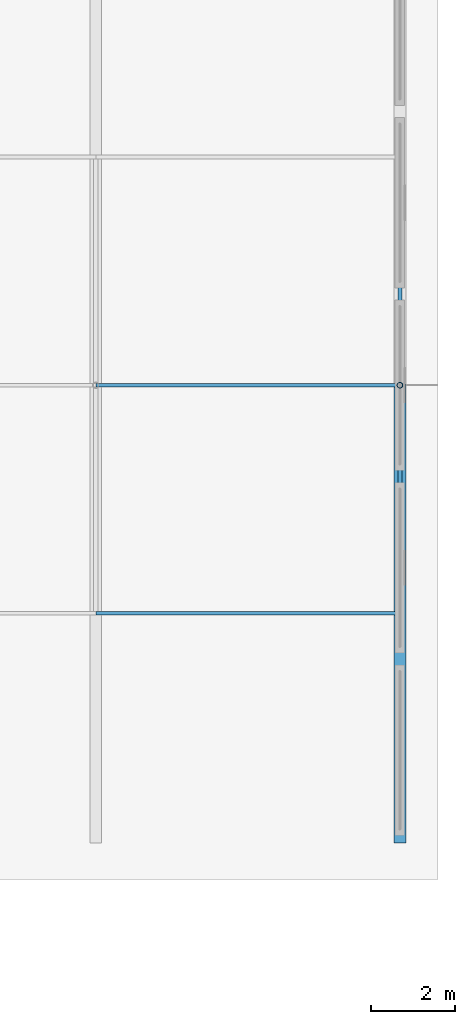
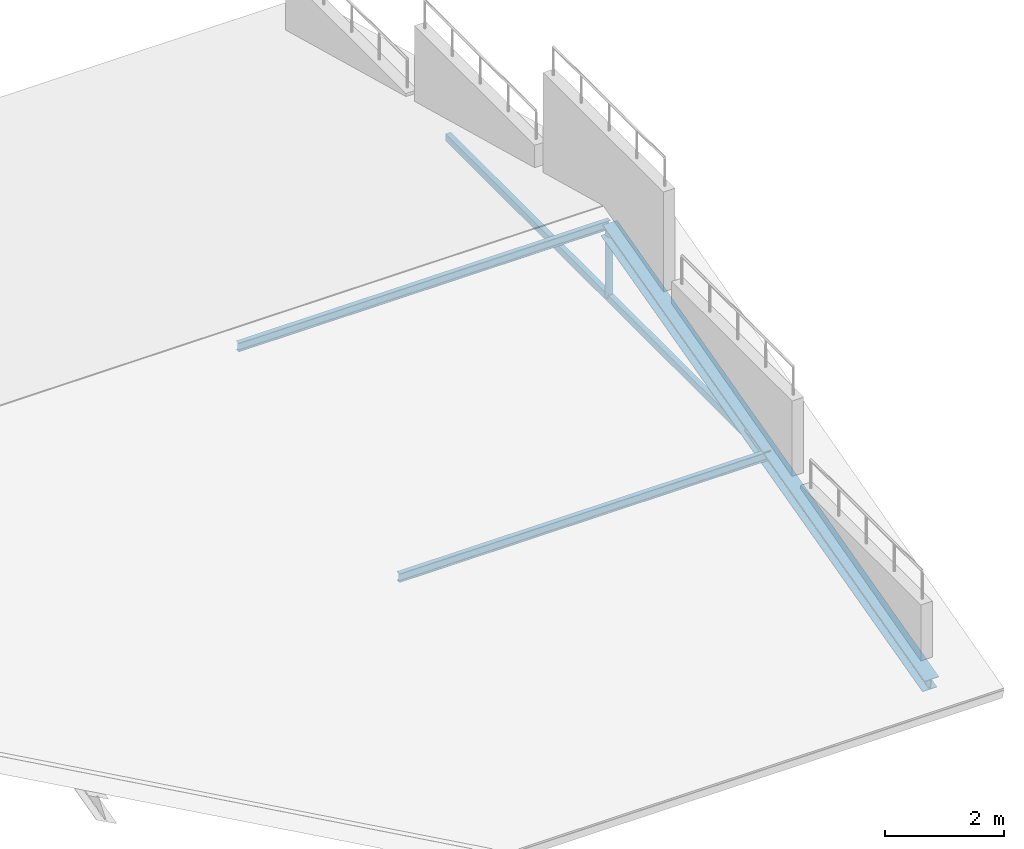
# One storey, part 27 of 124: 5 members.
"""IFC4 building model written with IfcOpenShell, lengths in metres."""

from ifc_helpers import new_model, si_unit, direction, frame, origin, origin_2d, place, context, subcontext, project, spatial, hollow_rectangle, hollow_circle, i_section, extrude, material, material_profile, profile_set, type_object, element, save


model = new_model("IFC4")

# Units and contexts
model_context = context("Model", 3, precision=1e-05, world=origin(), true_north=direction((0.0, 1.0)))
body_context = subcontext(model_context, "Body", "Model", "MODEL_VIEW")
ifc_project = project(units=[si_unit("LENGTHUNIT", "METRE"), si_unit("AREAUNIT", "SQUARE_METRE"), si_unit("VOLUMEUNIT", "CUBIC_METRE"), si_unit("PLANEANGLEUNIT", "RADIAN"), si_unit("MASSUNIT", "GRAM", prefix="KILO"), si_unit("THERMODYNAMICTEMPERATUREUNIT", "KELVIN"), si_unit("POWERUNIT", "WATT")], contexts=[model_context])

# Site, building, storey
site_placement = place(None, origin())
site = spatial("IfcSite", under=ifc_project, at=site_placement, CompositionType="ELEMENT")
building_placement = place(site_placement, origin())
building = spatial("IfcBuilding", under=site, at=building_placement, Name="Tavuni Mirador Residences", CompositionType="ELEMENT")
storey_placement = place(building_placement, frame((0.0, 0.0, 7.64990234375)))
storey = spatial("IfcBuildingStorey", under=building, at=storey_placement, Name="L02", CompositionType="ELEMENT", Elevation=7.64990234375)

# Members
ifc_material = material(Name="Structural steel S355", Category="steel")
ifc_material_profile_1 = material_profile(ifc_material, hollow_circle(Radius=0.06982421875, WallThickness=0.008056640625, at=origin_2d()), Name="CHS 139.7x8.0", Category="steel")
ifc_profile_set_1 = profile_set([ifc_material_profile_1], Name="Structural steel S355")
member_type_1 = type_object("IfcMemberType", Name="MT-BR-CHS139", PredefinedType="BRACE", material=ifc_profile_set_1)
member_1_placement = place(storey_placement, frame((118.800048828125, 54.0, 1.050048828125), z_axis=(0.0, 0.0, 1.0), x_axis=(1.0, 0.0, 0.0)))
element("IfcMember", 1, at=member_1_placement, inside=storey, type_object=member_type_1, Name="RKP-PAV-NURS-04", PredefinedType="BRACE", context=body_context, shape_type="SweptSolid", body=[
    extrude(hollow_circle(Radius=0.06982421875, WallThickness=0.008056640625, at=origin_2d()), origin(), (0.0, 0.0, 1.0), 1.400146484375),
])
ifc_material_profile_2 = material_profile(ifc_material, hollow_rectangle(XDim=0.10009765625, YDim=0.14990234375, WallThickness=0.008056640625, at=origin_2d()), Name="RHS 150x100x8.0", Category="steel")
ifc_profile_set_2 = profile_set([ifc_material_profile_2], Name="Structural steel S355")
member_type_2 = type_object("IfcMemberType", Name="MT-BR-RHS150", PredefinedType="BRACE", material=ifc_profile_set_2)
member_2_placement = place(storey_placement, frame((118.800048828125, 48.60009765625, 1.050048828125), z_axis=(0.0, 1.0, 0.0), x_axis=(-1.0, 0.0, 0.0)))
element("IfcMember", 2, at=member_2_placement, inside=storey, type_object=member_type_2, Name="RTIE-PAV-NURS-04", PredefinedType="BRACE", context=body_context, shape_type="SweptSolid", body=[
    extrude(hollow_rectangle(XDim=0.10009765625, YDim=0.14990234375, WallThickness=0.008056640625, at=origin_2d()), origin(), (0.0, 0.0, 1.0), 10.7998046875),
])
ifc_material_profile_3 = material_profile(ifc_material, i_section(OverallWidth=0.280029296875, OverallDepth=0.27001953125, WebThickness=0.008056640625, FlangeThickness=0.012939453125, FilletRadius=0.02392578125, at=origin_2d()), Name="HEA 280", Category="steel")
ifc_profile_set_3 = profile_set([ifc_material_profile_3], Name="Structural steel S355")
member_type_3 = type_object("IfcMemberType", Name="MT-CH-HEA280", PredefinedType="CHORD", material=ifc_profile_set_3)
member_3_placement = place(storey_placement, frame((118.800048828125, 43.199951171875, -0.349853515625), z_axis=(0.0, 0.967996110632, 0.250965196393), x_axis=(-1.0, 0.0, 0.0)))
element("IfcMember", 3, at=member_3_placement, inside=storey, type_object=member_type_3, Name="RAF-PAV-NURS-04-S", PredefinedType="CHORD", context=body_context, shape_type="SweptSolid", body=[
    extrude(i_section(OverallWidth=0.280029296875, OverallDepth=0.27001953125, WebThickness=0.008056640625, FlangeThickness=0.012939453125, FilletRadius=0.02392578125, at=origin_2d()), origin(), (0.0, 0.0, 1.0), 11.1572265625),
])
ifc_material_profile_4 = material_profile(ifc_material, i_section(OverallWidth=0.091064453125, OverallDepth=0.179931640625, WebThickness=0.00537109375, FlangeThickness=0.008056640625, FilletRadius=0.009033203125, at=origin_2d()), Name="IPE 180", Category="steel")
ifc_profile_set_4 = profile_set([ifc_material_profile_4], Name="Structural steel S355")
member_type_4 = type_object("IfcMemberType", Name="MT-PR-IPE180", PredefinedType="PURLIN", material=ifc_profile_set_4)
for number, where, z_axis, x_axis, name in (
    (4, (111.60009765625, 48.60009765625, 1.09521484375), (1.0, 0.0, 0.0), (0.0, 1.0, 0.0), "RPUR-PAV-NURS-25-03"),
    (5, (111.60009765625, 54.0, 2.545166015625), (1.0, 0.0, 0.0), (0.0, 1.0, 0.0), "RPUR-PAV-NURS-50-03"),
):
    element("IfcMember", number, at=place(storey_placement, frame(where, z_axis=z_axis, x_axis=x_axis)), inside=storey, type_object=member_type_4, Name=name, PredefinedType="PURLIN", context=body_context, shape_type="SweptSolid", body=[
        extrude(i_section(OverallWidth=0.091064453125, OverallDepth=0.179931640625, WebThickness=0.00537109375, FlangeThickness=0.008056640625, FilletRadius=0.009033203125, at=origin_2d()), origin(), (0.0, 0.0, 1.0), 7.199951171875),
    ])

save(model, "model.ifc")
